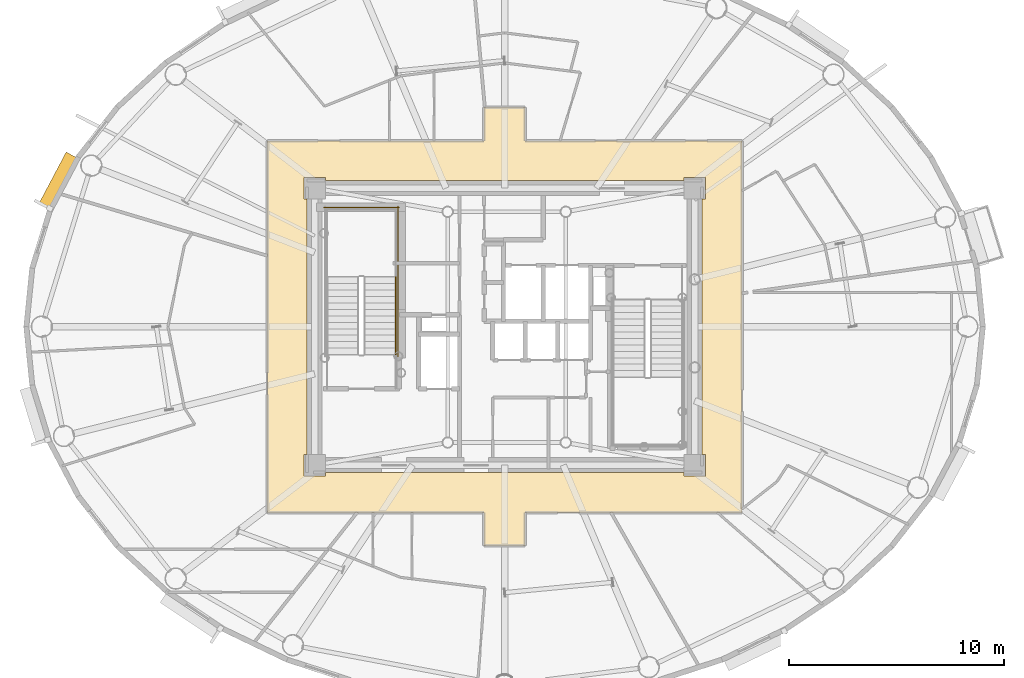
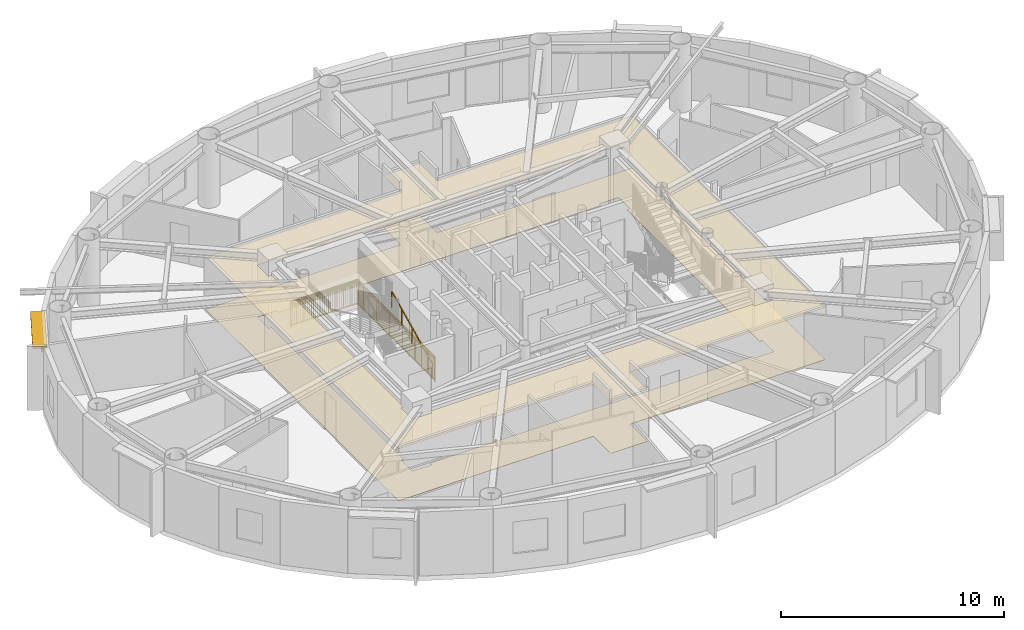
# One storey, part 16 of 18: 3 railings, 2 coverings, 1 shading device.
"""IFC4 building model written with IfcOpenShell, lengths in metres."""

from ifc_helpers import new_model, si_unit, direction, frame, origin, origin_2d, place, context, subcontext, project, spatial, polyline, rectangle, outline, extrude, source, transform, mapped, material, layer, layer_set, type_object, element, save


model = new_model("IFC4")

# Units and contexts
model_context = context("Model", 3, precision=1e-05, world=origin(), true_north=direction((0.0, 1.0)))
body_context = subcontext(model_context, "Body", "Model", "MODEL_VIEW")
ifc_project = project(units=[si_unit("LENGTHUNIT", "METRE"), si_unit("AREAUNIT", "SQUARE_METRE"), si_unit("VOLUMEUNIT", "CUBIC_METRE"), si_unit("PLANEANGLEUNIT", "RADIAN"), si_unit("MASSUNIT", "GRAM", prefix="KILO")], contexts=[model_context])

# Site, building, storey
site_placement = place(None, origin())
site = spatial("IfcSite", under=ifc_project, at=site_placement, CompositionType="ELEMENT")
building_placement = place(site_placement, origin())
building = spatial("IfcBuilding", under=site, at=building_placement, Name="Linh Dai School and Residence Tower", CompositionType="ELEMENT")
storey_placement = place(building_placement, frame((0.0, 0.0, 273.0)))
storey = spatial("IfcBuildingStorey", under=building, at=storey_placement, Name="L67", CompositionType="ELEMENT", Elevation=273.0)

# Coverings
ifc_material_1 = material(Name="Mineral Fibre Acoustic Suspended Ceiling", Category="masonry")
ifc_layer_1 = layer(ifc_material_1, 0.02001953125)
ifc_layer_set_1 = layer_set([ifc_layer_1], Name="Mineral Fibre Acoustic Suspended Ceiling")
covering_type_1 = type_object("IfcCoveringType", Name="COV-CEIL-AC-20", PredefinedType="CEILING", material=ifc_layer_set_1)
covering_1_placement = place(storey_placement, frame((0.0, 0.0, 2.85009765625)))
element("IfcCovering", 1, at=covering_1_placement, inside=storey, type_object=covering_type_1, Name="L67 Residential Floor Corridor Suspended Ceiling", PredefinedType="CEILING", context=body_context, shape_type="SweptSolid", body=[
    extrude(outline(polyline([(24.949951171875, 18.35009765625), (24.949951171875, 35.64990234375), (35.050048828125, 35.64990234375), (35.050048828125, 37.199951171875), (36.949951171875, 37.199951171875), (36.949951171875, 35.64990234375), (47.050048828125, 35.64990234375), (47.050048828125, 18.35009765625), (36.949951171875, 18.35009765625), (36.949951171875, 16.800048828125), (35.050048828125, 16.800048828125), (35.050048828125, 18.35009765625), (24.949951171875, 18.35009765625)]), holes=[polyline([(27.64990234375, 33.800048828125), (27.64990234375, 33.949951171875), (26.64990234375, 33.949951171875), (26.64990234375, 32.949951171875), (26.800048828125, 32.949951171875), (26.800048828125, 21.050048828125), (26.64990234375, 21.050048828125), (26.64990234375, 20.050048828125), (27.64990234375, 20.050048828125), (27.64990234375, 20.199951171875), (44.35009765625, 20.199951171875), (44.35009765625, 20.050048828125), (45.35009765625, 20.050048828125), (45.35009765625, 21.050048828125), (45.199951171875, 21.050048828125), (45.199951171875, 32.949951171875), (45.35009765625, 32.949951171875), (45.35009765625, 33.949951171875), (44.35009765625, 33.949951171875), (44.35009765625, 33.800048828125), (27.64990234375, 33.800048828125)])]), origin(), (0.0, 0.0, 1.0), 0.02001953125),
])
ifc_material_2 = material(Name="Polished Terrazzo Floor Finish", Category="masonry")
ifc_layer_2 = layer(ifc_material_2, 0.02490234375)
ifc_layer_set_2 = layer_set([ifc_layer_2], Name="Polished Terrazzo Floor Finish")
covering_type_2 = type_object("IfcCoveringType", Name="COV-FLR-TRZ-25", PredefinedType="FLOORING", material=ifc_layer_set_2)
covering_2_placement = place(storey_placement, origin())
element("IfcCovering", 2, at=covering_2_placement, inside=storey, type_object=covering_type_2, Name="L67 Residential Floor Corridor Floor Finish", PredefinedType="FLOORING", context=body_context, shape_type="SweptSolid", body=[
    extrude(outline(polyline([(24.949951171875, 18.35009765625), (24.949951171875, 35.64990234375), (35.050048828125, 35.64990234375), (35.050048828125, 37.199951171875), (36.949951171875, 37.199951171875), (36.949951171875, 35.64990234375), (47.050048828125, 35.64990234375), (47.050048828125, 18.35009765625), (36.949951171875, 18.35009765625), (36.949951171875, 16.800048828125), (35.050048828125, 16.800048828125), (35.050048828125, 18.35009765625), (24.949951171875, 18.35009765625)]), holes=[polyline([(27.64990234375, 33.800048828125), (27.64990234375, 33.949951171875), (26.64990234375, 33.949951171875), (26.64990234375, 32.949951171875), (26.800048828125, 32.949951171875), (26.800048828125, 21.050048828125), (26.64990234375, 21.050048828125), (26.64990234375, 20.050048828125), (27.64990234375, 20.050048828125), (27.64990234375, 20.199951171875), (44.35009765625, 20.199951171875), (44.35009765625, 20.050048828125), (45.35009765625, 20.050048828125), (45.35009765625, 21.050048828125), (45.199951171875, 21.050048828125), (45.199951171875, 32.949951171875), (45.35009765625, 32.949951171875), (45.35009765625, 33.949951171875), (44.35009765625, 33.949951171875), (44.35009765625, 33.800048828125), (27.64990234375, 33.800048828125)])]), origin(), (0.0, 0.0, 1.0), 0.02001953125),
])

# Shading device
ifc_material_3 = material(Name="Terracotta Ceramic Sunshade", Category="masonry")
ifc_layer_3 = layer(ifc_material_3, 0.10009765625)
ifc_layer_set_3 = layer_set([ifc_layer_3], Name="Terracotta Ceramic Sunshade")
shading_device_type = type_object("IfcShadingDeviceType", Name="SHD-TC-650", PredefinedType="USERDEFINED", material=ifc_layer_set_3)
shared_shape_1 = source(origin(), body_context, "Body", "SweptSolid", [
    extrude(rectangle(XDim=2.739501953125, YDim=0.64990234375, at=origin_2d()), origin(), (0.0, 0.0, 1.0), 0.10009765625),
])
shading_device_placement = place(storey_placement, frame((15.22705078125, 33.766845703125, 3.3798828125), z_axis=(0.0, 0.0, 1.0), x_axis=(0.467603531201, 0.883938310975, 0.0)))
element("IfcShadingDevice", 3, at=shading_device_placement, inside=storey, type_object=shading_device_type, Name="L67 Terracotta Horizontal Sunshade Band 18", ObjectType="SUNSHADE", PredefinedType="USERDEFINED", context=body_context, shape_type="MappedRepresentation", body=[
    mapped(shared_shape_1, transform((0.0, 0.0, 0.0), x_axis=(1.0, 0.0, 0.0), y_axis=(0.0, 1.0, 0.0), z_axis=(0.0, 0.0, 1.0), scale=1.0)),
])

# Railings
ifc_material_4 = material(Name="Structural Steel S355JR", Category="steel")
railing_type_1 = type_object("IfcRailingType", Name="RL-ST-GUARD-1400", PredefinedType="GUARDRAIL", material=ifc_material_4)
shared_shape_2 = source(origin(), body_context, "Body", "SweptSolid", [
    extrude(rectangle(XDim=0.048095703125, YDim=0.048095703125, at=origin_2d()), frame((0.0, 0.0, 1.3759765625), z_axis=(0.0, 1.0, 0.0), x_axis=(-1.0, 0.0, 0.0)), (0.0, 0.0, 1.0), 7.0),
    extrude(rectangle(XDim=0.048095703125, YDim=0.048095703125, at=origin_2d()), frame((0.0, 0.0, 0.10009765625), z_axis=(0.0, 1.0, 0.0), x_axis=(-1.0, 0.0, 0.0)), (0.0, 0.0, 1.0), 7.0),
    extrude(rectangle(XDim=0.030029296875, YDim=0.030029296875, at=origin_2d()), frame((0.0, 0.0, 1.239990234375), z_axis=(0.0, 1.0, 0.0), x_axis=(-1.0, 0.0, 0.0)), (0.0, 0.0, 1.0), 7.0),
    extrude(rectangle(XDim=0.02001953125, YDim=0.02001953125, at=origin_2d()), frame((0.0, 0.09716796875, 0.10009765625)), (0.0, 0.0, 1.0), 1.251708984375),
    extrude(rectangle(XDim=0.02001953125, YDim=0.02001953125, at=origin_2d()), frame((0.0, 0.1943359375, 0.10009765625)), (0.0, 0.0, 1.0), 1.251708984375),
    extrude(rectangle(XDim=0.02001953125, YDim=0.02001953125, at=origin_2d()), frame((0.0, 0.291748046875, 0.10009765625)), (0.0, 0.0, 1.0), 1.251708984375),
    extrude(rectangle(XDim=0.02001953125, YDim=0.02001953125, at=origin_2d()), frame((0.0, 0.388916015625, 0.10009765625)), (0.0, 0.0, 1.0), 1.251708984375),
    extrude(rectangle(XDim=0.02001953125, YDim=0.02001953125, at=origin_2d()), frame((0.0, 0.486083984375, 0.10009765625)), (0.0, 0.0, 1.0), 1.251708984375),
    extrude(rectangle(XDim=0.02001953125, YDim=0.02001953125, at=origin_2d()), frame((0.0, 0.583251953125, 0.10009765625)), (0.0, 0.0, 1.0), 1.251708984375),
    extrude(rectangle(XDim=0.02001953125, YDim=0.02001953125, at=origin_2d()), frame((0.0, 0.6806640625, 0.10009765625)), (0.0, 0.0, 1.0), 1.251708984375),
    extrude(rectangle(XDim=0.02001953125, YDim=0.02001953125, at=origin_2d()), frame((0.0, 0.77783203125, 0.10009765625)), (0.0, 0.0, 1.0), 1.251708984375),
    extrude(rectangle(XDim=0.02001953125, YDim=0.02001953125, at=origin_2d()), frame((0.0, 0.875, 0.10009765625)), (0.0, 0.0, 1.0), 1.251708984375),
    extrude(rectangle(XDim=0.02001953125, YDim=0.02001953125, at=origin_2d()), frame((0.0, 0.97216796875, 0.10009765625)), (0.0, 0.0, 1.0), 1.251708984375),
    extrude(rectangle(XDim=0.02001953125, YDim=0.02001953125, at=origin_2d()), frame((0.0, 1.0693359375, 0.10009765625)), (0.0, 0.0, 1.0), 1.251708984375),
    extrude(rectangle(XDim=0.02001953125, YDim=0.02001953125, at=origin_2d()), frame((0.0, 1.263916015625, 0.10009765625)), (0.0, 0.0, 1.0), 1.251708984375),
    extrude(rectangle(XDim=0.02001953125, YDim=0.02001953125, at=origin_2d()), frame((0.0, 1.361083984375, 0.10009765625)), (0.0, 0.0, 1.0), 1.251708984375),
    extrude(rectangle(XDim=0.02001953125, YDim=0.02001953125, at=origin_2d()), frame((0.0, 1.458251953125, 0.10009765625)), (0.0, 0.0, 1.0), 1.251708984375),
    extrude(rectangle(XDim=0.02001953125, YDim=0.02001953125, at=origin_2d()), frame((0.0, 1.5556640625, 0.10009765625)), (0.0, 0.0, 1.0), 1.251708984375),
    extrude(rectangle(XDim=0.02001953125, YDim=0.02001953125, at=origin_2d()), frame((0.0, 1.65283203125, 0.10009765625)), (0.0, 0.0, 1.0), 1.251708984375),
    extrude(rectangle(XDim=0.02001953125, YDim=0.02001953125, at=origin_2d()), frame((0.0, 1.75, 0.10009765625)), (0.0, 0.0, 1.0), 1.251708984375),
    extrude(rectangle(XDim=0.02001953125, YDim=0.02001953125, at=origin_2d()), frame((0.0, 1.84716796875, 0.10009765625)), (0.0, 0.0, 1.0), 1.251708984375),
    extrude(rectangle(XDim=0.02001953125, YDim=0.02001953125, at=origin_2d()), frame((0.0, 1.9443359375, 0.10009765625)), (0.0, 0.0, 1.0), 1.251708984375),
    extrude(rectangle(XDim=0.02001953125, YDim=0.02001953125, at=origin_2d()), frame((0.0, 2.041748046875, 0.10009765625)), (0.0, 0.0, 1.0), 1.251708984375),
    extrude(rectangle(XDim=0.02001953125, YDim=0.02001953125, at=origin_2d()), frame((0.0, 2.138916015625, 0.10009765625)), (0.0, 0.0, 1.0), 1.251708984375),
    extrude(rectangle(XDim=0.02001953125, YDim=0.02001953125, at=origin_2d()), frame((0.0, 2.236083984375, 0.10009765625)), (0.0, 0.0, 1.0), 1.251708984375),
    extrude(rectangle(XDim=0.02001953125, YDim=0.02001953125, at=origin_2d()), frame((0.0, 2.4306640625, 0.10009765625)), (0.0, 0.0, 1.0), 1.251708984375),
    extrude(rectangle(XDim=0.02001953125, YDim=0.02001953125, at=origin_2d()), frame((0.0, 2.52783203125, 0.10009765625)), (0.0, 0.0, 1.0), 1.251708984375),
    extrude(rectangle(XDim=0.02001953125, YDim=0.02001953125, at=origin_2d()), frame((0.0, 2.625, 0.10009765625)), (0.0, 0.0, 1.0), 1.251708984375),
    extrude(rectangle(XDim=0.02001953125, YDim=0.02001953125, at=origin_2d()), frame((0.0, 2.72216796875, 0.10009765625)), (0.0, 0.0, 1.0), 1.251708984375),
    extrude(rectangle(XDim=0.02001953125, YDim=0.02001953125, at=origin_2d()), frame((0.0, 2.8193359375, 0.10009765625)), (0.0, 0.0, 1.0), 1.251708984375),
    extrude(rectangle(XDim=0.02001953125, YDim=0.02001953125, at=origin_2d()), frame((0.0, 2.916748046875, 0.10009765625)), (0.0, 0.0, 1.0), 1.251708984375),
    extrude(rectangle(XDim=0.02001953125, YDim=0.02001953125, at=origin_2d()), frame((0.0, 3.013916015625, 0.10009765625)), (0.0, 0.0, 1.0), 1.251708984375),
    extrude(rectangle(XDim=0.02001953125, YDim=0.02001953125, at=origin_2d()), frame((0.0, 3.111083984375, 0.10009765625)), (0.0, 0.0, 1.0), 1.251708984375),
    extrude(rectangle(XDim=0.02001953125, YDim=0.02001953125, at=origin_2d()), frame((0.0, 3.208251953125, 0.10009765625)), (0.0, 0.0, 1.0), 1.251708984375),
    extrude(rectangle(XDim=0.02001953125, YDim=0.02001953125, at=origin_2d()), frame((0.0, 3.3056640625, 0.10009765625)), (0.0, 0.0, 1.0), 1.251708984375),
    extrude(rectangle(XDim=0.02001953125, YDim=0.02001953125, at=origin_2d()), frame((0.0, 3.40283203125, 0.10009765625)), (0.0, 0.0, 1.0), 1.251708984375),
    extrude(rectangle(XDim=0.02001953125, YDim=0.02001953125, at=origin_2d()), frame((0.0, 3.59716796875, 0.10009765625)), (0.0, 0.0, 1.0), 1.251708984375),
    extrude(rectangle(XDim=0.02001953125, YDim=0.02001953125, at=origin_2d()), frame((0.0, 3.6943359375, 0.10009765625)), (0.0, 0.0, 1.0), 1.251708984375),
    extrude(rectangle(XDim=0.02001953125, YDim=0.02001953125, at=origin_2d()), frame((0.0, 3.791748046875, 0.10009765625)), (0.0, 0.0, 1.0), 1.251708984375),
    extrude(rectangle(XDim=0.02001953125, YDim=0.02001953125, at=origin_2d()), frame((0.0, 3.888916015625, 0.10009765625)), (0.0, 0.0, 1.0), 1.251708984375),
    extrude(rectangle(XDim=0.02001953125, YDim=0.02001953125, at=origin_2d()), frame((0.0, 3.986083984375, 0.10009765625)), (0.0, 0.0, 1.0), 1.251708984375),
    extrude(rectangle(XDim=0.02001953125, YDim=0.02001953125, at=origin_2d()), frame((0.0, 4.083251953125, 0.10009765625)), (0.0, 0.0, 1.0), 1.251708984375),
    extrude(rectangle(XDim=0.02001953125, YDim=0.02001953125, at=origin_2d()), frame((0.0, 4.1806640625, 0.10009765625)), (0.0, 0.0, 1.0), 1.251708984375),
    extrude(rectangle(XDim=0.02001953125, YDim=0.02001953125, at=origin_2d()), frame((0.0, 4.27783203125, 0.10009765625)), (0.0, 0.0, 1.0), 1.251708984375),
    extrude(rectangle(XDim=0.02001953125, YDim=0.02001953125, at=origin_2d()), frame((0.0, 4.375, 0.10009765625)), (0.0, 0.0, 1.0), 1.251708984375),
    extrude(rectangle(XDim=0.02001953125, YDim=0.02001953125, at=origin_2d()), frame((0.0, 4.47216796875, 0.10009765625)), (0.0, 0.0, 1.0), 1.251708984375),
    extrude(rectangle(XDim=0.02001953125, YDim=0.02001953125, at=origin_2d()), frame((0.0, 4.5693359375, 0.10009765625)), (0.0, 0.0, 1.0), 1.251708984375),
    extrude(rectangle(XDim=0.02001953125, YDim=0.02001953125, at=origin_2d()), frame((0.0, 4.763916015625, 0.10009765625)), (0.0, 0.0, 1.0), 1.251708984375),
    extrude(rectangle(XDim=0.02001953125, YDim=0.02001953125, at=origin_2d()), frame((0.0, 4.861083984375, 0.10009765625)), (0.0, 0.0, 1.0), 1.251708984375),
    extrude(rectangle(XDim=0.02001953125, YDim=0.02001953125, at=origin_2d()), frame((0.0, 4.958251953125, 0.10009765625)), (0.0, 0.0, 1.0), 1.251708984375),
    extrude(rectangle(XDim=0.02001953125, YDim=0.02001953125, at=origin_2d()), frame((0.0, 5.0556640625, 0.10009765625)), (0.0, 0.0, 1.0), 1.251708984375),
    extrude(rectangle(XDim=0.02001953125, YDim=0.02001953125, at=origin_2d()), frame((0.0, 5.15283203125, 0.10009765625)), (0.0, 0.0, 1.0), 1.251708984375),
    extrude(rectangle(XDim=0.02001953125, YDim=0.02001953125, at=origin_2d()), frame((0.0, 5.25, 0.10009765625)), (0.0, 0.0, 1.0), 1.251708984375),
    extrude(rectangle(XDim=0.02001953125, YDim=0.02001953125, at=origin_2d()), frame((0.0, 5.34716796875, 0.10009765625)), (0.0, 0.0, 1.0), 1.251708984375),
    extrude(rectangle(XDim=0.02001953125, YDim=0.02001953125, at=origin_2d()), frame((0.0, 5.4443359375, 0.10009765625)), (0.0, 0.0, 1.0), 1.251708984375),
    extrude(rectangle(XDim=0.02001953125, YDim=0.02001953125, at=origin_2d()), frame((0.0, 5.541748046875, 0.10009765625)), (0.0, 0.0, 1.0), 1.251708984375),
    extrude(rectangle(XDim=0.02001953125, YDim=0.02001953125, at=origin_2d()), frame((0.0, 5.638916015625, 0.10009765625)), (0.0, 0.0, 1.0), 1.251708984375),
    extrude(rectangle(XDim=0.02001953125, YDim=0.02001953125, at=origin_2d()), frame((0.0, 5.736083984375, 0.10009765625)), (0.0, 0.0, 1.0), 1.251708984375),
    extrude(rectangle(XDim=0.02001953125, YDim=0.02001953125, at=origin_2d()), frame((0.0, 5.9306640625, 0.10009765625)), (0.0, 0.0, 1.0), 1.251708984375),
    extrude(rectangle(XDim=0.02001953125, YDim=0.02001953125, at=origin_2d()), frame((0.0, 6.02783203125, 0.10009765625)), (0.0, 0.0, 1.0), 1.251708984375),
    extrude(rectangle(XDim=0.02001953125, YDim=0.02001953125, at=origin_2d()), frame((0.0, 6.125, 0.10009765625)), (0.0, 0.0, 1.0), 1.251708984375),
    extrude(rectangle(XDim=0.02001953125, YDim=0.02001953125, at=origin_2d()), frame((0.0, 6.22216796875, 0.10009765625)), (0.0, 0.0, 1.0), 1.251708984375),
    extrude(rectangle(XDim=0.02001953125, YDim=0.02001953125, at=origin_2d()), frame((0.0, 6.3193359375, 0.10009765625)), (0.0, 0.0, 1.0), 1.251708984375),
    extrude(rectangle(XDim=0.02001953125, YDim=0.02001953125, at=origin_2d()), frame((0.0, 6.416748046875, 0.10009765625)), (0.0, 0.0, 1.0), 1.251708984375),
    extrude(rectangle(XDim=0.02001953125, YDim=0.02001953125, at=origin_2d()), frame((0.0, 6.513916015625, 0.10009765625)), (0.0, 0.0, 1.0), 1.251708984375),
    extrude(rectangle(XDim=0.02001953125, YDim=0.02001953125, at=origin_2d()), frame((0.0, 6.611083984375, 0.10009765625)), (0.0, 0.0, 1.0), 1.251708984375),
    extrude(rectangle(XDim=0.02001953125, YDim=0.02001953125, at=origin_2d()), frame((0.0, 6.708251953125, 0.10009765625)), (0.0, 0.0, 1.0), 1.251708984375),
    extrude(rectangle(XDim=0.02001953125, YDim=0.02001953125, at=origin_2d()), frame((0.0, 6.8056640625, 0.10009765625)), (0.0, 0.0, 1.0), 1.251708984375),
    extrude(rectangle(XDim=0.02001953125, YDim=0.02001953125, at=origin_2d()), frame((0.0, 6.90283203125, 0.10009765625)), (0.0, 0.0, 1.0), 1.251708984375),
    extrude(rectangle(XDim=0.0419921875, YDim=0.0419921875, at=origin_2d()), origin(), (0.0, 0.0, 1.0), 1.3759765625),
    extrude(rectangle(XDim=0.0419921875, YDim=0.0419921875, at=origin_2d()), frame((0.0, 1.166748046875, 0.0)), (0.0, 0.0, 1.0), 1.3759765625),
    extrude(rectangle(XDim=0.0419921875, YDim=0.0419921875, at=origin_2d()), frame((0.0, 2.333251953125, 0.0)), (0.0, 0.0, 1.0), 1.3759765625),
    extrude(rectangle(XDim=0.0419921875, YDim=0.0419921875, at=origin_2d()), frame((0.0, 3.5, 0.0)), (0.0, 0.0, 1.0), 1.3759765625),
    extrude(rectangle(XDim=0.0419921875, YDim=0.0419921875, at=origin_2d()), frame((0.0, 4.666748046875, 0.0)), (0.0, 0.0, 1.0), 1.3759765625),
    extrude(rectangle(XDim=0.0419921875, YDim=0.0419921875, at=origin_2d()), frame((0.0, 5.833251953125, 0.0)), (0.0, 0.0, 1.0), 1.3759765625),
    extrude(rectangle(XDim=0.0419921875, YDim=0.0419921875, at=origin_2d()), frame((0.0, 7.0, 0.0)), (0.0, 0.0, 1.0), 1.3759765625),
])
railing_1_placement = place(storey_placement, frame((31.030029296875, 25.60009765625, 0.0)))
element("IfcRailing", 4, at=railing_1_placement, inside=storey, type_object=railing_type_1, Name="L67 ST1 stair guard 10", PredefinedType="GUARDRAIL", context=body_context, shape_type="MappedRepresentation", body=[
    mapped(shared_shape_2, transform((0.0, 0.0, 0.0), x_axis=(1.0, 0.0, 0.0), y_axis=(0.0, 1.0, 0.0), z_axis=(0.0, 0.0, 1.0), scale=1.0)),
])
shared_shape_3 = source(origin(), body_context, "Body", "SweptSolid", [
    extrude(rectangle(XDim=0.048095703125, YDim=0.048095703125, at=origin_2d()), frame((0.0, 0.0, 1.3759765625), z_axis=(-1.0, 0.0, 0.0), x_axis=(0.0, -1.0, 0.0)), (0.0, 0.0, 1.0), 3.5),
    extrude(rectangle(XDim=0.048095703125, YDim=0.048095703125, at=origin_2d()), frame((0.0, 0.0, 0.10009765625), z_axis=(-1.0, 0.0, 0.0), x_axis=(0.0, -1.0, 0.0)), (0.0, 0.0, 1.0), 3.5),
    extrude(rectangle(XDim=0.030029296875, YDim=0.030029296875, at=origin_2d()), frame((0.0, 0.0, 1.239990234375), z_axis=(-1.0, 0.0, 0.0), x_axis=(0.0, -1.0, 0.0)), (0.0, 0.0, 1.0), 3.5),
    extrude(rectangle(XDim=0.02001953125, YDim=0.02001953125, at=origin_2d()), frame((-0.09716796875, 0.0, 0.10009765625)), (0.0, 0.0, 1.0), 1.251708984375),
    extrude(rectangle(XDim=0.02001953125, YDim=0.02001953125, at=origin_2d()), frame((-0.1943359375, 0.0, 0.10009765625)), (0.0, 0.0, 1.0), 1.251708984375),
    extrude(rectangle(XDim=0.02001953125, YDim=0.02001953125, at=origin_2d()), frame((-0.291748046875, 0.0, 0.10009765625)), (0.0, 0.0, 1.0), 1.251708984375),
    extrude(rectangle(XDim=0.02001953125, YDim=0.02001953125, at=origin_2d()), frame((-0.388916015625, 0.0, 0.10009765625)), (0.0, 0.0, 1.0), 1.251708984375),
    extrude(rectangle(XDim=0.02001953125, YDim=0.02001953125, at=origin_2d()), frame((-0.486083984375, 0.0, 0.10009765625)), (0.0, 0.0, 1.0), 1.251708984375),
    extrude(rectangle(XDim=0.02001953125, YDim=0.02001953125, at=origin_2d()), frame((-0.583251953125, 0.0, 0.10009765625)), (0.0, 0.0, 1.0), 1.251708984375),
    extrude(rectangle(XDim=0.02001953125, YDim=0.02001953125, at=origin_2d()), frame((-0.6806640625, 0.0, 0.10009765625)), (0.0, 0.0, 1.0), 1.251708984375),
    extrude(rectangle(XDim=0.02001953125, YDim=0.02001953125, at=origin_2d()), frame((-0.77783203125, 0.0, 0.10009765625)), (0.0, 0.0, 1.0), 1.251708984375),
    extrude(rectangle(XDim=0.02001953125, YDim=0.02001953125, at=origin_2d()), frame((-0.875, 0.0, 0.10009765625)), (0.0, 0.0, 1.0), 1.251708984375),
    extrude(rectangle(XDim=0.02001953125, YDim=0.02001953125, at=origin_2d()), frame((-0.97216796875, 0.0, 0.10009765625)), (0.0, 0.0, 1.0), 1.251708984375),
    extrude(rectangle(XDim=0.02001953125, YDim=0.02001953125, at=origin_2d()), frame((-1.0693359375, 0.0, 0.10009765625)), (0.0, 0.0, 1.0), 1.251708984375),
    extrude(rectangle(XDim=0.02001953125, YDim=0.02001953125, at=origin_2d()), frame((-1.263916015625, 0.0, 0.10009765625)), (0.0, 0.0, 1.0), 1.251708984375),
    extrude(rectangle(XDim=0.02001953125, YDim=0.02001953125, at=origin_2d()), frame((-1.361083984375, 0.0, 0.10009765625)), (0.0, 0.0, 1.0), 1.251708984375),
    extrude(rectangle(XDim=0.02001953125, YDim=0.02001953125, at=origin_2d()), frame((-1.458251953125, 0.0, 0.10009765625)), (0.0, 0.0, 1.0), 1.251708984375),
    extrude(rectangle(XDim=0.02001953125, YDim=0.02001953125, at=origin_2d()), frame((-1.5556640625, 0.0, 0.10009765625)), (0.0, 0.0, 1.0), 1.251708984375),
    extrude(rectangle(XDim=0.02001953125, YDim=0.02001953125, at=origin_2d()), frame((-1.65283203125, 0.0, 0.10009765625)), (0.0, 0.0, 1.0), 1.251708984375),
    extrude(rectangle(XDim=0.02001953125, YDim=0.02001953125, at=origin_2d()), frame((-1.75, 0.0, 0.10009765625)), (0.0, 0.0, 1.0), 1.251708984375),
    extrude(rectangle(XDim=0.02001953125, YDim=0.02001953125, at=origin_2d()), frame((-1.84716796875, 0.0, 0.10009765625)), (0.0, 0.0, 1.0), 1.251708984375),
    extrude(rectangle(XDim=0.02001953125, YDim=0.02001953125, at=origin_2d()), frame((-1.9443359375, 0.0, 0.10009765625)), (0.0, 0.0, 1.0), 1.251708984375),
    extrude(rectangle(XDim=0.02001953125, YDim=0.02001953125, at=origin_2d()), frame((-2.041748046875, 0.0, 0.10009765625)), (0.0, 0.0, 1.0), 1.251708984375),
    extrude(rectangle(XDim=0.02001953125, YDim=0.02001953125, at=origin_2d()), frame((-2.138916015625, 0.0, 0.10009765625)), (0.0, 0.0, 1.0), 1.251708984375),
    extrude(rectangle(XDim=0.02001953125, YDim=0.02001953125, at=origin_2d()), frame((-2.236083984375, 0.0, 0.10009765625)), (0.0, 0.0, 1.0), 1.251708984375),
    extrude(rectangle(XDim=0.02001953125, YDim=0.02001953125, at=origin_2d()), frame((-2.4306640625, 0.0, 0.10009765625)), (0.0, 0.0, 1.0), 1.251708984375),
    extrude(rectangle(XDim=0.02001953125, YDim=0.02001953125, at=origin_2d()), frame((-2.52783203125, 0.0, 0.10009765625)), (0.0, 0.0, 1.0), 1.251708984375),
    extrude(rectangle(XDim=0.02001953125, YDim=0.02001953125, at=origin_2d()), frame((-2.625, 0.0, 0.10009765625)), (0.0, 0.0, 1.0), 1.251708984375),
    extrude(rectangle(XDim=0.02001953125, YDim=0.02001953125, at=origin_2d()), frame((-2.72216796875, 0.0, 0.10009765625)), (0.0, 0.0, 1.0), 1.251708984375),
    extrude(rectangle(XDim=0.02001953125, YDim=0.02001953125, at=origin_2d()), frame((-2.8193359375, 0.0, 0.10009765625)), (0.0, 0.0, 1.0), 1.251708984375),
    extrude(rectangle(XDim=0.02001953125, YDim=0.02001953125, at=origin_2d()), frame((-2.916748046875, 0.0, 0.10009765625)), (0.0, 0.0, 1.0), 1.251708984375),
    extrude(rectangle(XDim=0.02001953125, YDim=0.02001953125, at=origin_2d()), frame((-3.013916015625, 0.0, 0.10009765625)), (0.0, 0.0, 1.0), 1.251708984375),
    extrude(rectangle(XDim=0.02001953125, YDim=0.02001953125, at=origin_2d()), frame((-3.111083984375, 0.0, 0.10009765625)), (0.0, 0.0, 1.0), 1.251708984375),
    extrude(rectangle(XDim=0.02001953125, YDim=0.02001953125, at=origin_2d()), frame((-3.208251953125, 0.0, 0.10009765625)), (0.0, 0.0, 1.0), 1.251708984375),
    extrude(rectangle(XDim=0.02001953125, YDim=0.02001953125, at=origin_2d()), frame((-3.3056640625, 0.0, 0.10009765625)), (0.0, 0.0, 1.0), 1.251708984375),
    extrude(rectangle(XDim=0.02001953125, YDim=0.02001953125, at=origin_2d()), frame((-3.40283203125, 0.0, 0.10009765625)), (0.0, 0.0, 1.0), 1.251708984375),
    extrude(rectangle(XDim=0.0419921875, YDim=0.0419921875, at=origin_2d()), origin(), (0.0, 0.0, 1.0), 1.3759765625),
    extrude(rectangle(XDim=0.0419921875, YDim=0.0419921875, at=origin_2d()), frame((-1.166748046875, 0.0, 0.0)), (0.0, 0.0, 1.0), 1.3759765625),
    extrude(rectangle(XDim=0.0419921875, YDim=0.0419921875, at=origin_2d()), frame((-2.333251953125, 0.0, 0.0)), (0.0, 0.0, 1.0), 1.3759765625),
    extrude(rectangle(XDim=0.0419921875, YDim=0.0419921875, at=origin_2d()), frame((-3.5, 0.0, 0.0)), (0.0, 0.0, 1.0), 1.3759765625),
])
railing_2_placement = place(storey_placement, frame((31.080078125, 32.550048828125, 0.0)))
element("IfcRailing", 5, at=railing_2_placement, inside=storey, type_object=railing_type_1, Name="L67 ST1 stair guard 12", PredefinedType="GUARDRAIL", context=body_context, shape_type="MappedRepresentation", body=[
    mapped(shared_shape_3, transform((0.0, 0.0, 0.0), x_axis=(1.0, 0.0, 0.0), y_axis=(0.0, 1.0, 0.0), z_axis=(0.0, 0.0, 1.0), scale=1.0)),
])
ifc_material_5 = material(Name="Brushed Stainless Steel Handrail", Category="steel")
railing_type_2 = type_object("IfcRailingType", Name="RL-ST-HANDRAIL-900", PredefinedType="HANDRAIL", material=ifc_material_5)
shared_shape_4 = source(origin(), body_context, "Body", "SweptSolid", [
    extrude(rectangle(XDim=0.048095703125, YDim=0.048095703125, at=origin_2d()), frame((0.0, 0.0, 0.8759765625), z_axis=(0.0, 0.901262522062, 0.433273431364), x_axis=(-1.0, 0.0, 0.0)), (0.0, 0.0, 1.0), 3.994384765625),
    extrude(rectangle(XDim=0.0419921875, YDim=0.0419921875, at=origin_2d()), origin(), (0.0, 0.0, 1.0), 0.8759765625),
    extrude(rectangle(XDim=0.0419921875, YDim=0.0419921875, at=origin_2d()), frame((0.0, 0.89990234375, 0.4326171875)), (0.0, 0.0, 1.0), 0.8759765625),
    extrude(rectangle(XDim=0.0419921875, YDim=0.0419921875, at=origin_2d()), frame((0.0, 1.800048828125, 0.865234375)), (0.0, 0.0, 1.0), 0.8759765625),
    extrude(rectangle(XDim=0.0419921875, YDim=0.0419921875, at=origin_2d()), frame((0.0, 2.7001953125, 1.298095703125)), (0.0, 0.0, 1.0), 0.8759765625),
    extrude(rectangle(XDim=0.0419921875, YDim=0.0419921875, at=origin_2d()), frame((0.0, 3.60009765625, 1.730712890625)), (0.0, 0.0, 1.0), 0.8759765625),
])
railing_3_placement = place(storey_placement, frame((30.929931640625, 25.699951171875, 0.144287109375)))
element("IfcRailing", 6, at=railing_3_placement, inside=storey, type_object=railing_type_2, Name="L67 ST1 stair handrail 1", PredefinedType="HANDRAIL", context=body_context, shape_type="MappedRepresentation", body=[
    mapped(shared_shape_4, transform((0.0, 0.0, 0.0), x_axis=(1.0, 0.0, 0.0), y_axis=(0.0, 1.0, 0.0), z_axis=(0.0, 0.0, 1.0), scale=1.0)),
])

save(model, "model.ifc")
